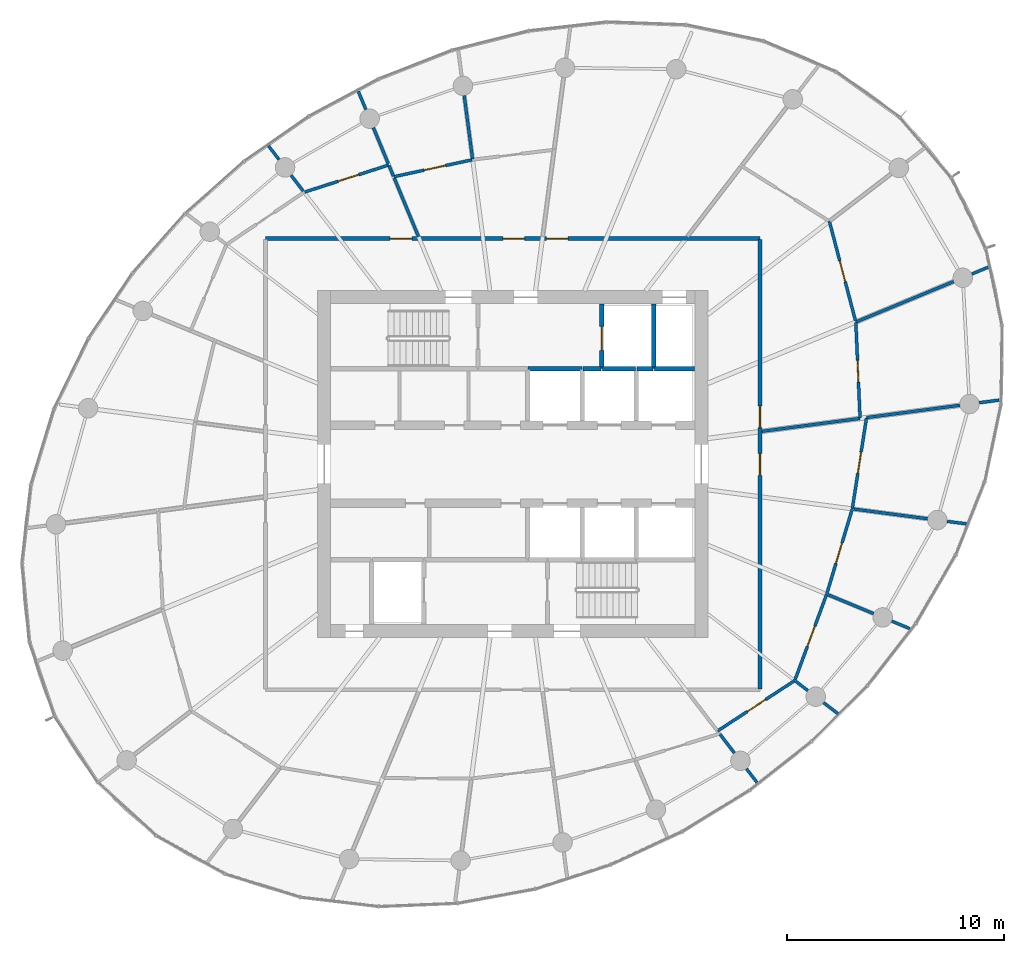
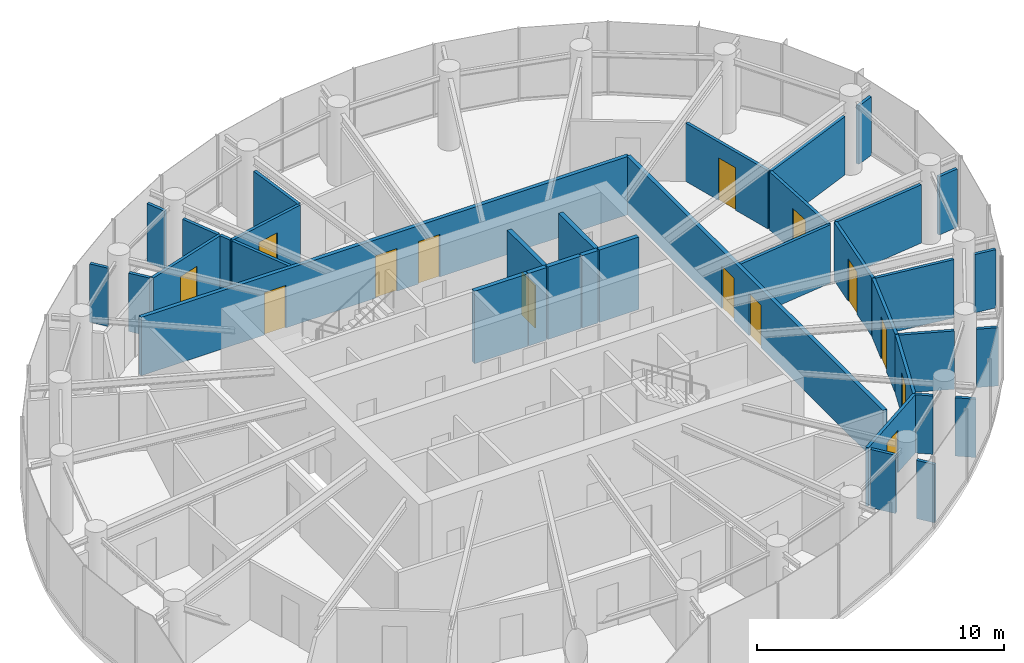
# One storey, part 12 of 15: 37 walls, 14 doors, 14 openings.
"""IFC4 building model written with IfcOpenShell, lengths in metres."""

from ifc_helpers import new_model, si_unit, direction, frame, frame_2d, origin, place, context, subcontext, project, spatial, rectangle, extrude, source, transform, mapped, material, layer, layer_set, type_object, element, fill, save


model = new_model("IFC4")

# Units and contexts
model_context = context("Model", 3, precision=1e-05, world=origin(), true_north=direction((0.0, 1.0)))
body_context = subcontext(model_context, "Body", "Model", "MODEL_VIEW")
ifc_project = project(units=[si_unit("LENGTHUNIT", "METRE"), si_unit("AREAUNIT", "SQUARE_METRE"), si_unit("VOLUMEUNIT", "CUBIC_METRE"), si_unit("PLANEANGLEUNIT", "RADIAN"), si_unit("MASSUNIT", "GRAM", prefix="KILO")], contexts=[model_context])

# Site, building, storey
site_placement = place(None, origin())
site = spatial("IfcSite", under=ifc_project, at=site_placement, CompositionType="ELEMENT")
building_placement = place(site_placement, origin())
building = spatial("IfcBuilding", under=site, at=building_placement, Name="Spindrift Exchange Tower", CompositionType="ELEMENT")
storey_placement = place(building_placement, frame((0.0, 0.0, 191.60009765625)))
storey = spatial("IfcBuildingStorey", under=building, at=storey_placement, Name="L46", CompositionType="ELEMENT", Elevation=191.60009765625)

# Wall, openings, doors
ifc_material_1 = material(Name="Fire-rated plasterboard partition", Category="gypsum")
ifc_layer_1 = layer(ifc_material_1, 0.179931640625)
ifc_layer_set_1 = layer_set([ifc_layer_1], Name="W-CORR-180")
wall_type_1 = type_object("IfcWallType", Name="W-CORR-180", PredefinedType="PARTITIONING", material=ifc_layer_set_1)
wall_1_placement = place(storey_placement, frame((40.60009765625, 58.39990234375, 0.0), z_axis=(0.0, 0.0, 1.0), x_axis=(1.0, 0.0, 0.0)))
wall_1 = element("IfcWall", 1, at=wall_1_placement, inside=storey, type_object=wall_type_1, Name="L46 Partition wall 27", PredefinedType="PARTITIONING", context=body_context, shape_type="SweptSolid", body=[
    extrude(rectangle(XDim=22.7998046875, YDim=0.179931640625, at=frame_2d((11.39990234375, 0.0))), origin(), (0.0, 0.0, 1.0), 2.8798828125),
])
opening_1_placement = place(wall_1_placement, frame((12.949951171875, 0.0, 0.0)))
opening_1 = element("IfcOpeningElement", 2, at=opening_1_placement, cuts=wall_1, Name="Opening L46-D42", PredefinedType="OPENING", context=body_context, shape_type="SweptSolid", body=[
    extrude(rectangle(XDim=1.0, YDim=2.10009765625, at=frame_2d((0.5, 1.050048828125))), frame((0.0, 0.099853515625, 0.0), z_axis=(0.0, -1.0, 0.0), x_axis=(1.0, 0.0, 0.0)), (0.0, 0.0, 1.0), 0.199951171875),
])
opening_2_placement = place(wall_1_placement, frame((10.949951171875, 0.0, 0.0)))
opening_2 = element("IfcOpeningElement", 3, at=opening_2_placement, cuts=wall_1, Name="Opening L46-D43", PredefinedType="OPENING", context=body_context, shape_type="SweptSolid", body=[
    extrude(rectangle(XDim=1.0, YDim=2.10009765625, at=frame_2d((0.5, 1.050048828125))), frame((0.0, 0.099853515625, 0.0), z_axis=(0.0, -1.0, 0.0), x_axis=(1.0, 0.0, 0.0)), (0.0, 0.0, 1.0), 0.199951171875),
])
opening_3_placement = place(wall_1_placement, frame((5.75, 0.0, 0.0)))
opening_3 = element("IfcOpeningElement", 4, at=opening_3_placement, cuts=wall_1, Name="Opening L46-D46", PredefinedType="OPENING", context=body_context, shape_type="SweptSolid", body=[
    extrude(rectangle(XDim=1.0, YDim=2.10009765625, at=frame_2d((0.5, 1.050048828125))), frame((0.0, 0.099853515625, 0.0), z_axis=(0.0, -1.0, 0.0), x_axis=(1.0, 0.0, 0.0)), (0.0, 0.0, 1.0), 0.199951171875),
])
ifc_material_2 = material(Name="Timber-core fire door", Category="wood")
door_type_1 = type_object("IfcDoorType", Name="DR-ROOM-1000", OperationType="NOTDEFINED", PredefinedType="DOOR", material=ifc_material_2)
shared_shape_1 = source(origin(), body_context, "Body", "SweptSolid", [
    extrude(rectangle(XDim=1.0, YDim=2.10009765625, at=frame_2d((0.5, 1.050048828125))), frame((0.0, 0.02490234375, 0.0), z_axis=(0.0, -1.0, 0.0), x_axis=(1.0, 0.0, 0.0)), (0.0, 0.0, 1.0), 0.050048828125),
])
door_1_placement = place(opening_1_placement, origin())
door_1 = element("IfcDoor", 5, at=door_1_placement, inside=storey, type_object=door_type_1, Name="L46 Door 42", OperationType="SINGLE_SWING_RIGHT", OverallHeight=2.10009765625, OverallWidth=1.0, PredefinedType="DOOR", context=body_context, shape_type="MappedRepresentation", body=[
    mapped(shared_shape_1, transform((0.0, 0.0, 0.0), scale=1.0)),
])
fill(opening_1, door_1)
door_2_placement = place(opening_2_placement, origin())
door_2 = element("IfcDoor", 6, at=door_2_placement, inside=storey, type_object=door_type_1, Name="L46 Door 43", OperationType="SINGLE_SWING_LEFT", OverallHeight=2.10009765625, OverallWidth=1.0, PredefinedType="DOOR", context=body_context, shape_type="MappedRepresentation", body=[
    mapped(shared_shape_1, transform((0.0, 0.0, 0.0), scale=1.0)),
])
fill(opening_2, door_2)
door_3_placement = place(opening_3_placement, origin())
door_3 = element("IfcDoor", 7, at=door_3_placement, inside=storey, type_object=door_type_1, Name="L46 Door 46", OperationType="SINGLE_SWING_RIGHT", OverallHeight=2.10009765625, OverallWidth=1.0, PredefinedType="DOOR", context=body_context, shape_type="MappedRepresentation", body=[
    mapped(shared_shape_1, transform((0.0, 0.0, 0.0), scale=1.0)),
])
fill(opening_3, door_3)

wall_2_placement = place(storey_placement, frame((63.39990234375, 58.3701171875, 0.0), z_axis=(0.0, 0.0, 1.0), x_axis=(0.0, -1.0, 0.0)))
wall_2 = element("IfcWall", 8, at=wall_2_placement, inside=storey, type_object=wall_type_1, Name="L46 Partition wall 29", PredefinedType="PARTITIONING", context=body_context, shape_type="SweptSolid", body=[
    extrude(rectangle(XDim=20.740234375, YDim=0.179931640625, at=frame_2d((10.3701171875, 0.0))), origin(), (0.0, 0.0, 1.0), 2.8798828125),
])
opening_4_placement = place(wall_2_placement, frame((9.889892578125, 0.0, 0.0)))
opening_4 = element("IfcOpeningElement", 9, at=opening_4_placement, cuts=wall_2, Name="Opening L46-D33", PredefinedType="OPENING", context=body_context, shape_type="SweptSolid", body=[
    extrude(rectangle(XDim=1.0, YDim=2.10009765625, at=frame_2d((0.5, 1.050048828125))), frame((0.0, 0.099853515625, 0.0), z_axis=(0.0, -1.0, 0.0), x_axis=(1.0, 0.0, 0.0)), (0.0, 0.0, 1.0), 0.199951171875),
])
opening_5_placement = place(wall_2_placement, frame((7.68994140625, 0.0, 0.0)))
opening_5 = element("IfcOpeningElement", 10, at=opening_5_placement, cuts=wall_2, Name="Opening L46-D38", PredefinedType="OPENING", context=body_context, shape_type="SweptSolid", body=[
    extrude(rectangle(XDim=1.0, YDim=2.10009765625, at=frame_2d((0.5, 1.050048828125))), frame((0.0, 0.099853515625, 0.0), z_axis=(0.0, -1.0, 0.0), x_axis=(1.0, 0.0, 0.0)), (0.0, 0.0, 1.0), 0.199951171875),
])
door_4_placement = place(opening_4_placement, origin())
door_4 = element("IfcDoor", 11, at=door_4_placement, inside=storey, type_object=door_type_1, Name="L46 Door 33", OperationType="SINGLE_SWING_LEFT", OverallHeight=2.10009765625, OverallWidth=1.0, PredefinedType="DOOR", context=body_context, shape_type="MappedRepresentation", body=[
    mapped(shared_shape_1, transform((0.0, 0.0, 0.0), scale=1.0)),
])
fill(opening_4, door_4)
door_5_placement = place(opening_5_placement, origin())
door_5 = element("IfcDoor", 12, at=door_5_placement, inside=storey, type_object=door_type_1, Name="L46 Door 38", OperationType="SINGLE_SWING_RIGHT", OverallHeight=2.10009765625, OverallWidth=1.0, PredefinedType="DOOR", context=body_context, shape_type="MappedRepresentation", body=[
    mapped(shared_shape_1, transform((0.0, 0.0, 0.0), scale=1.0)),
])
fill(opening_5, door_5)

# Wall
ifc_layer_2 = layer(ifc_material_1, 0.139892578125)
ifc_layer_set_2 = layer_set([ifc_layer_2], Name="W-PART-140")
wall_type_2 = type_object("IfcWallType", Name="W-PART-140", PredefinedType="PARTITIONING", material=ifc_layer_set_2)
wall_3_placement = place(storey_placement, frame((67.819580078125, 54.552490234375, 0.0), z_axis=(0.0, 0.0, 1.0), x_axis=(0.923864546683, 0.382719609353, 0.0)))
element("IfcWall", 13, at=wall_3_placement, inside=storey, type_object=wall_type_2, Name="L46 Partition wall 31", PredefinedType="PARTITIONING", context=body_context, shape_type="SweptSolid", body=[
    extrude(rectangle(XDim=4.885009765625, YDim=0.139892578125, at=frame_2d((2.4423828125, 0.0))), origin(), (0.0, 0.0, 1.0), 2.8798828125),
])

# Wall, opening, door
wall_4_placement = place(storey_placement, frame((66.5986328125, 59.201904296875, 0.0), z_axis=(0.0, 0.0, 1.0), x_axis=(0.253980714002, -0.967209282893, 0.0)))
wall_4 = element("IfcWall", 14, at=wall_4_placement, inside=storey, type_object=wall_type_2, Name="L46 Partition wall 34", PredefinedType="PARTITIONING", context=body_context, shape_type="SweptSolid", body=[
    extrude(rectangle(XDim=4.736083984375, YDim=0.139892578125, at=frame_2d((2.3681640625, 0.0))), origin(), (0.0, 0.0, 1.0), 2.8798828125),
])
opening_6_placement = place(wall_4_placement, frame((1.88623046875, 0.0, 0.0)))
opening_6 = element("IfcOpeningElement", 15, at=opening_6_placement, cuts=wall_4, Name="Opening L46-D40", PredefinedType="OPENING", context=body_context, shape_type="SweptSolid", body=[
    extrude(rectangle(XDim=1.0, YDim=2.10009765625, at=frame_2d((0.5, 1.050048828125))), frame((0.0, 0.079833984375, 0.0), z_axis=(0.0, -1.0, 0.0), x_axis=(1.0, 0.0, 0.0)), (0.0, 0.0, 1.0), 0.159912109375),
])
door_6_placement = place(opening_6_placement, origin())
door_6 = element("IfcDoor", 16, at=door_6_placement, inside=storey, type_object=door_type_1, Name="L46 Door 40", OperationType="SINGLE_SWING_RIGHT", OverallHeight=2.10009765625, OverallWidth=1.0, PredefinedType="DOOR", context=body_context, shape_type="MappedRepresentation", body=[
    mapped(shared_shape_1, transform((0.0, 0.0, 0.0), scale=1.0)),
])
fill(opening_6, door_6)

# Wall
wall_5_placement = place(storey_placement, frame((63.489990234375, 49.5126953125, 0.0), z_axis=(0.0, 0.0, 1.0), x_axis=(0.991445189432, 0.130523700346, 0.0)))
element("IfcWall", 17, at=wall_5_placement, inside=storey, type_object=wall_type_2, Name="L46 Partition wall 37", PredefinedType="PARTITIONING", context=body_context, shape_type="SweptSolid", body=[
    extrude(rectangle(XDim=4.56396484375, YDim=0.139892578125, at=frame_2d((2.281982421875, 0.0))), origin(), (0.0, 0.0, 1.0), 2.8798828125),
])

# Wall, opening, door
wall_6_placement = place(storey_placement, frame((67.82080078125, 54.522705078125, 0.0), z_axis=(0.0, 0.0, 1.0), x_axis=(0.043891066245, -0.999036322815, 0.0)))
wall_6 = element("IfcWall", 18, at=wall_6_placement, inside=storey, type_object=wall_type_2, Name="L46 Partition wall 40", PredefinedType="PARTITIONING", context=body_context, shape_type="SweptSolid", body=[
    extrude(rectangle(XDim=4.388671875, YDim=0.139892578125, at=frame_2d((2.1943359375, 0.0))), origin(), (0.0, 0.0, 1.0), 2.8798828125),
])
opening_7_placement = place(wall_6_placement, frame((1.738525390625, 0.0, 0.0)))
opening_7 = element("IfcOpeningElement", 19, at=opening_7_placement, cuts=wall_6, Name="Opening L46-D39", PredefinedType="OPENING", context=body_context, shape_type="SweptSolid", body=[
    extrude(rectangle(XDim=1.0, YDim=2.10009765625, at=frame_2d((0.5, 1.050048828125))), frame((0.0, 0.079833984375, 0.0), z_axis=(0.0, -1.0, 0.0), x_axis=(1.0, 0.0, 0.0)), (0.0, 0.0, 1.0), 0.159912109375),
])
door_7_placement = place(opening_7_placement, origin())
door_7 = element("IfcDoor", 20, at=door_7_placement, inside=storey, type_object=door_type_1, Name="L46 Door 39", OperationType="SINGLE_SWING_LEFT", OverallHeight=2.10009765625, OverallWidth=1.0, PredefinedType="DOOR", context=body_context, shape_type="MappedRepresentation", body=[
    mapped(shared_shape_1, transform((0.0, 0.0, 0.0), scale=1.0)),
])
fill(opening_7, door_7)

# Wall
wall_7_placement = place(storey_placement, frame((68.3134765625, 50.147705078125, 0.0), z_axis=(0.0, 0.0, 1.0), x_axis=(0.991443942206, 0.130533173806, 0.0)))
element("IfcWall", 21, at=wall_7_placement, inside=storey, type_object=wall_type_2, Name="L46 Partition wall 42", PredefinedType="PARTITIONING", context=body_context, shape_type="SweptSolid", body=[
    extrude(rectangle(XDim=4.33544921875, YDim=0.139892578125, at=frame_2d((2.167724609375, 0.0))), origin(), (0.0, 0.0, 1.0), 2.8798828125),
])

# Wall, opening, door
wall_8_placement = place(storey_placement, frame((68.308837890625, 50.1181640625, 0.0), z_axis=(0.0, 0.0, 1.0), x_axis=(-0.154216660459, -0.988037054789, 0.0)))
wall_8 = element("IfcWall", 22, at=wall_8_placement, inside=storey, type_object=wall_type_2, Name="L46 Partition wall 46", PredefinedType="PARTITIONING", context=body_context, shape_type="SweptSolid", body=[
    extrude(rectangle(XDim=4.22998046875, YDim=0.139892578125, at=frame_2d((2.114990234375, 0.0))), origin(), (0.0, 0.0, 1.0), 2.8798828125),
])
opening_8_placement = place(wall_8_placement, frame((1.579833984375, 0.0, 0.0)))
opening_8 = element("IfcOpeningElement", 23, at=opening_8_placement, cuts=wall_8, Name="Opening L46-D37", PredefinedType="OPENING", context=body_context, shape_type="SweptSolid", body=[
    extrude(rectangle(XDim=1.0, YDim=2.10009765625, at=frame_2d((0.5, 1.050048828125))), frame((0.0, 0.079833984375, 0.0), z_axis=(0.0, -1.0, 0.0), x_axis=(1.0, 0.0, 0.0)), (0.0, 0.0, 1.0), 0.159912109375),
])
door_8_placement = place(opening_8_placement, origin())
door_8 = element("IfcDoor", 24, at=door_8_placement, inside=storey, type_object=door_type_1, Name="L46 Door 37", OperationType="SINGLE_SWING_LEFT", OverallHeight=2.10009765625, OverallWidth=1.0, PredefinedType="DOOR", context=body_context, shape_type="MappedRepresentation", body=[
    mapped(shared_shape_1, transform((0.0, 0.0, 0.0), scale=1.0)),
])
fill(opening_8, door_8)

wall_9_placement = place(storey_placement, frame((65.003173828125, 38.022216796875, 0.0), z_axis=(0.0, 0.0, 1.0), x_axis=(-0.837161645349, -0.546955555376, 0.0)))
wall_9 = element("IfcWall", 25, at=wall_9_placement, inside=storey, type_object=wall_type_2, Name="L46 Partition wall 47", PredefinedType="PARTITIONING", context=body_context, shape_type="SweptSolid", body=[
    extrude(rectangle(XDim=4.25439453125, YDim=0.139892578125, at=frame_2d((2.127197265625, 0.0))), origin(), (0.0, 0.0, 1.0), 2.8798828125),
])
opening_9_placement = place(wall_9_placement, frame((1.604248046875, 0.0, 0.0)))
opening_9 = element("IfcOpeningElement", 26, at=opening_9_placement, cuts=wall_9, Name="Opening L46-D34", PredefinedType="OPENING", context=body_context, shape_type="SweptSolid", body=[
    extrude(rectangle(XDim=1.0, YDim=2.10009765625, at=frame_2d((0.5, 1.050048828125))), frame((0.0, 0.079833984375, 0.0), z_axis=(0.0, -1.0, 0.0), x_axis=(1.0, 0.0, 0.0)), (0.0, 0.0, 1.0), 0.159912109375),
])
door_9_placement = place(opening_9_placement, origin())
door_9 = element("IfcDoor", 27, at=door_9_placement, inside=storey, type_object=door_type_1, Name="L46 Door 34", OperationType="SINGLE_SWING_RIGHT", OverallHeight=2.10009765625, OverallWidth=1.0, PredefinedType="DOOR", context=body_context, shape_type="MappedRepresentation", body=[
    mapped(shared_shape_1, transform((0.0, 0.0, 0.0), scale=1.0)),
])
fill(opening_9, door_9)

wall_10_placement = place(storey_placement, frame((66.475830078125, 42.00390625, 0.0), z_axis=(0.0, 0.0, 1.0), x_axis=(-0.346867255576, -0.937914232225, 0.0)))
wall_10 = element("IfcWall", 28, at=wall_10_placement, inside=storey, type_object=wall_type_2, Name="L46 Partition wall 48", PredefinedType="PARTITIONING", context=body_context, shape_type="SweptSolid", body=[
    extrude(rectangle(XDim=4.21533203125, YDim=0.139892578125, at=frame_2d((2.107666015625, 0.0))), origin(), (0.0, 0.0, 1.0), 2.8798828125),
])
opening_10_placement = place(wall_10_placement, frame((1.565185546875, 0.0, 0.0)))
opening_10 = element("IfcOpeningElement", 29, at=opening_10_placement, cuts=wall_10, Name="Opening L46-D35", PredefinedType="OPENING", context=body_context, shape_type="SweptSolid", body=[
    extrude(rectangle(XDim=1.0, YDim=2.10009765625, at=frame_2d((0.5, 1.050048828125))), frame((0.0, 0.079833984375, 0.0), z_axis=(0.0, -1.0, 0.0), x_axis=(1.0, 0.0, 0.0)), (0.0, 0.0, 1.0), 0.159912109375),
])
door_10_placement = place(opening_10_placement, origin())
door_10 = element("IfcDoor", 30, at=door_10_placement, inside=storey, type_object=door_type_1, Name="L46 Door 35", OperationType="SINGLE_SWING_LEFT", OverallHeight=2.10009765625, OverallWidth=1.0, PredefinedType="DOOR", context=body_context, shape_type="MappedRepresentation", body=[
    mapped(shared_shape_1, transform((0.0, 0.0, 0.0), scale=1.0)),
])
fill(opening_10, door_10)

wall_11_placement = place(storey_placement, frame((67.64794921875, 45.91015625, 0.0), z_axis=(0.0, 0.0, 1.0), x_axis=(-0.28737001705, -0.957819645497, 0.0)))
wall_11 = element("IfcWall", 31, at=wall_11_placement, inside=storey, type_object=wall_type_2, Name="L46 Partition wall 51", PredefinedType="PARTITIONING", context=body_context, shape_type="SweptSolid", body=[
    extrude(rectangle(XDim=4.048095703125, YDim=0.139892578125, at=frame_2d((2.02392578125, 0.0))), origin(), (0.0, 0.0, 1.0), 2.8798828125),
])
opening_11_placement = place(wall_11_placement, frame((1.598388671875, 0.0, 0.0)))
opening_11 = element("IfcOpeningElement", 32, at=opening_11_placement, cuts=wall_11, Name="Opening L46-D36", PredefinedType="OPENING", context=body_context, shape_type="SweptSolid", body=[
    extrude(rectangle(XDim=1.0, YDim=2.10009765625, at=frame_2d((0.5, 1.050048828125))), frame((0.0, 0.079833984375, 0.0), z_axis=(0.0, -1.0, 0.0), x_axis=(1.0, 0.0, 0.0)), (0.0, 0.0, 1.0), 0.159912109375),
])
door_11_placement = place(opening_11_placement, origin())
door_11 = element("IfcDoor", 33, at=door_11_placement, inside=storey, type_object=door_type_1, Name="L46 Door 36", OperationType="SINGLE_SWING_RIGHT", OverallHeight=2.10009765625, OverallWidth=1.0, PredefinedType="DOOR", context=body_context, shape_type="MappedRepresentation", body=[
    mapped(shared_shape_1, transform((0.0, 0.0, 0.0), scale=1.0)),
])
fill(opening_11, door_11)

wall_12_placement = place(storey_placement, frame((42.408447265625, 60.546142578125, 0.0), z_axis=(0.0, 0.0, 1.0), x_axis=(0.951875671907, 0.30648442902, 0.0)))
wall_12 = element("IfcWall", 34, at=wall_12_placement, inside=storey, type_object=wall_type_2, Name="L46 Partition wall 52", PredefinedType="PARTITIONING", context=body_context, shape_type="SweptSolid", body=[
    extrude(rectangle(XDim=4.07373046875, YDim=0.139892578125, at=frame_2d((2.036865234375, 0.0))), origin(), (0.0, 0.0, 1.0), 2.8798828125),
])
opening_12_placement = place(wall_12_placement, frame((1.62353515625, 0.0, 0.0)))
opening_12 = element("IfcOpeningElement", 35, at=opening_12_placement, cuts=wall_12, Name="Opening L46-D47", PredefinedType="OPENING", context=body_context, shape_type="SweptSolid", body=[
    extrude(rectangle(XDim=1.0, YDim=2.10009765625, at=frame_2d((0.5, 1.050048828125))), frame((0.0, 0.079833984375, 0.0), z_axis=(0.0, -1.0, 0.0), x_axis=(1.0, 0.0, 0.0)), (0.0, 0.0, 1.0), 0.159912109375),
])
door_12_placement = place(opening_12_placement, origin())
door_12 = element("IfcDoor", 36, at=door_12_placement, inside=storey, type_object=door_type_1, Name="L46 Door 47", OperationType="SINGLE_SWING_LEFT", OverallHeight=2.10009765625, OverallWidth=1.0, PredefinedType="DOOR", context=body_context, shape_type="MappedRepresentation", body=[
    mapped(shared_shape_1, transform((0.0, 0.0, 0.0), scale=1.0)),
])
fill(opening_12, door_12)

wall_13_placement = place(storey_placement, frame((46.510986328125, 61.25146484375, 0.0), z_axis=(0.0, 0.0, 1.0), x_axis=(0.977404204457, 0.211378856818, 0.0)))
wall_13 = element("IfcWall", 37, at=wall_13_placement, inside=storey, type_object=wall_type_2, Name="L46 Partition wall 61", PredefinedType="PARTITIONING", context=body_context, shape_type="SweptSolid", body=[
    extrude(rectangle(XDim=3.69482421875, YDim=0.139892578125, at=frame_2d((1.847412109375, 0.0))), origin(), (0.0, 0.0, 1.0), 2.8798828125),
])
opening_13_placement = place(wall_13_placement, frame((1.44482421875, 0.0, 0.0)))
opening_13 = element("IfcOpeningElement", 38, at=opening_13_placement, cuts=wall_13, Name="Opening L46-D45", PredefinedType="OPENING", context=body_context, shape_type="SweptSolid", body=[
    extrude(rectangle(XDim=1.0, YDim=2.10009765625, at=frame_2d((0.5, 1.050048828125))), frame((0.0, 0.079833984375, 0.0), z_axis=(0.0, -1.0, 0.0), x_axis=(1.0, 0.0, 0.0)), (0.0, 0.0, 1.0), 0.159912109375),
])
door_13_placement = place(opening_13_placement, origin())
door_13 = element("IfcDoor", 39, at=door_13_placement, inside=storey, type_object=door_type_1, Name="L46 Door 45", OperationType="SINGLE_SWING_LEFT", OverallHeight=2.10009765625, OverallWidth=1.0, PredefinedType="DOOR", context=body_context, shape_type="MappedRepresentation", body=[
    mapped(shared_shape_1, transform((0.0, 0.0, 0.0), scale=1.0)),
])
fill(opening_13, door_13)

# Walls
wall_14_placement = place(storey_placement, frame((67.725830078125, 45.9296875, 0.0), z_axis=(0.0, 0.0, 1.0), x_axis=(0.991443886809, -0.130533594563, 0.0)))
element("IfcWall", 40, at=wall_14_placement, inside=storey, type_object=wall_type_2, Name="L46 Partition wall 64", PredefinedType="PARTITIONING", context=body_context, shape_type="SweptSolid", body=[
    extrude(rectangle(XDim=3.433837890625, YDim=0.139892578125, at=frame_2d((1.716796875, 0.0))), origin(), (0.0, 0.0, 1.0), 2.8798828125),
])
wall_15_placement = place(storey_placement, frame((47.65478515625, 58.489990234375, 0.0), z_axis=(0.0, 0.0, 1.0), x_axis=(-0.382630142658, 0.92390160403, 0.0)))
element("IfcWall", 41, at=wall_15_placement, inside=storey, type_object=wall_type_2, Name="L46 Partition wall 71", PredefinedType="PARTITIONING", context=body_context, shape_type="SweptSolid", body=[
    extrude(rectangle(XDim=2.917724609375, YDim=0.139892578125, at=frame_2d((1.458984375, 0.0))), origin(), (0.0, 0.0, 1.0), 2.8798828125),
])
wall_16_placement = place(storey_placement, frame((50.147705078125, 62.068603515625, 0.0), z_axis=(0.0, 0.0, 1.0), x_axis=(-0.130493066125, 0.991449221944, 0.0)))
element("IfcWall", 42, at=wall_16_placement, inside=storey, type_object=wall_type_2, Name="L46 Partition wall 72", PredefinedType="PARTITIONING", context=body_context, shape_type="SweptSolid", body=[
    extrude(rectangle(XDim=2.948486328125, YDim=0.139892578125, at=frame_2d((1.47412109375, 0.0))), origin(), (0.0, 0.0, 1.0), 2.8798828125),
])
wall_17_placement = place(storey_placement, frame((66.54052734375, 41.97705078125, 0.0), z_axis=(0.0, 0.0, 1.0), x_axis=(0.923885824628, -0.382668241498, 0.0)))
element("IfcWall", 43, at=wall_17_placement, inside=storey, type_object=wall_type_2, Name="L46 Partition wall 79", PredefinedType="PARTITIONING", context=body_context, shape_type="SweptSolid", body=[
    extrude(rectangle(XDim=2.271240234375, YDim=0.139892578125, at=frame_2d((1.1357421875, 0.0))), origin(), (0.0, 0.0, 1.0), 2.8798828125),
])
wall_18_placement = place(storey_placement, frame((46.25927734375, 61.859619140625, 0.0), z_axis=(0.0, 0.0, 1.0), x_axis=(-0.382713681356, 0.923867002389, 0.0)))
element("IfcWall", 44, at=wall_18_placement, inside=storey, type_object=wall_type_2, Name="L46 Partition wall 82", PredefinedType="PARTITIONING", context=body_context, shape_type="SweptSolid", body=[
    extrude(rectangle(XDim=1.787353515625, YDim=0.139892578125, at=frame_2d((0.8935546875, 0.0))), origin(), (0.0, 0.0, 1.0), 2.8798828125),
])
wall_19_placement = place(storey_placement, frame((61.55615234375, 35.546142578125, 0.0), z_axis=(0.0, 0.0, 1.0), x_axis=(0.608740457709, -0.793369431695, 0.0)))
element("IfcWall", 45, at=wall_19_placement, inside=storey, type_object=wall_type_2, Name="L46 Partition wall 92", PredefinedType="PARTITIONING", context=body_context, shape_type="SweptSolid", body=[
    extrude(rectangle(XDim=1.094970703125, YDim=0.139892578125, at=frame_2d((0.54736328125, 0.0))), origin(), (0.0, 0.0, 1.0), 2.8798828125),
])
wall_20_placement = place(storey_placement, frame((42.33740234375, 60.5927734375, 0.0), z_axis=(0.0, 0.0, 1.0), x_axis=(-0.60883820701, 0.793294420555, 0.0)))
element("IfcWall", 46, at=wall_20_placement, inside=storey, type_object=wall_type_2, Name="L46 Partition wall 95", PredefinedType="PARTITIONING", context=body_context, shape_type="SweptSolid", body=[
    extrude(rectangle(XDim=0.919921875, YDim=0.139892578125, at=frame_2d((0.4599609375, 0.0))), origin(), (0.0, 0.0, 1.0), 2.8798828125),
])
wall_21_placement = place(storey_placement, frame((72.031494140625, 45.36279296875, 0.0), z_axis=(0.0, 0.0, 1.0), x_axis=(0.991456085685, -0.130440906764, 0.0)))
element("IfcWall", 47, at=wall_21_placement, inside=storey, type_object=wall_type_2, Name="L46 Partition wall 96", PredefinedType="PARTITIONING", context=body_context, shape_type="SweptSolid", body=[
    extrude(rectangle(XDim=0.92822265625, YDim=0.139892578125, at=frame_2d((0.464111328125, 0.0))), origin(), (0.0, 0.0, 1.0), 2.8798828125),
])
wall_22_placement = place(storey_placement, frame((73.512939453125, 50.832275390625, 0.0), z_axis=(0.0, 0.0, 1.0), x_axis=(0.991462412187, 0.130392811226, 0.0)))
element("IfcWall", 48, at=wall_22_placement, inside=storey, type_object=wall_type_2, Name="L46 Partition wall 97", PredefinedType="PARTITIONING", context=body_context, shape_type="SweptSolid", body=[
    extrude(rectangle(XDim=0.921142578125, YDim=0.139892578125, at=frame_2d((0.46044921875, 0.0))), origin(), (0.0, 0.0, 1.0), 2.8798828125),
])
wall_23_placement = place(storey_placement, frame((45.226806640625, 64.351806640625, 0.0), z_axis=(0.0, 0.0, 1.0), x_axis=(-0.382645109605, 0.923895405387, 0.0)))
element("IfcWall", 49, at=wall_23_placement, inside=storey, type_object=wall_type_2, Name="L46 Partition wall 100", PredefinedType="PARTITIONING", context=body_context, shape_type="SweptSolid", body=[
    extrude(rectangle(XDim=0.90673828125, YDim=0.139892578125, at=frame_2d((0.453369140625, 0.0))), origin(), (0.0, 0.0, 1.0), 2.8798828125),
])
wall_24_placement = place(storey_placement, frame((69.479736328125, 40.759521484375, 0.0), z_axis=(0.0, 0.0, 1.0), x_axis=(0.923869811138, -0.382706900994, 0.0)))
element("IfcWall", 50, at=wall_24_placement, inside=storey, type_object=wall_type_2, Name="L46 Partition wall 101", PredefinedType="PARTITIONING", context=body_context, shape_type="SweptSolid", body=[
    extrude(rectangle(XDim=0.890625, YDim=0.139892578125, at=frame_2d((0.4453125, 0.0))), origin(), (0.0, 0.0, 1.0), 2.8798828125),
])
wall_25_placement = place(storey_placement, frame((73.173583984375, 56.770263671875, 0.0), z_axis=(0.0, 0.0, 1.0), x_axis=(0.923855963606, 0.38274032778, 0.0)))
element("IfcWall", 51, at=wall_25_placement, inside=storey, type_object=wall_type_2, Name="L46 Partition wall 103", PredefinedType="PARTITIONING", context=body_context, shape_type="SweptSolid", body=[
    extrude(rectangle(XDim=0.850830078125, YDim=0.139892578125, at=frame_2d((0.42529296875, 0.0))), origin(), (0.0, 0.0, 1.0), 2.8798828125),
])
wall_26_placement = place(storey_placement, frame((66.33154296875, 37.0029296875, 0.0), z_axis=(0.0, 0.0, 1.0), x_axis=(0.793390985662, -0.608712365466, 0.0)))
element("IfcWall", 52, at=wall_26_placement, inside=storey, type_object=wall_type_2, Name="L46 Partition wall 106", PredefinedType="PARTITIONING", context=body_context, shape_type="SweptSolid", body=[
    extrude(rectangle(XDim=0.83935546875, YDim=0.139892578125, at=frame_2d((0.419677734375, 0.0))), origin(), (0.0, 0.0, 1.0), 2.8798828125),
])
for number, where, z_axis, x_axis, name in (
    (53, (41.22412109375, 62.043701171875, 0.0), (0.0, 0.0, 1.0), (-0.608908709281, 0.79324030644, 0.0), "L46 Partition wall 107"),
    (54, (62.77587890625, 33.956298828125, 0.0), (0.0, 0.0, 1.0), (0.608908709281, -0.79324030644, 0.0), "L46 Partition wall 108"),
):
    element("IfcWall", number, at=place(storey_placement, frame(where, z_axis=z_axis, x_axis=x_axis)), inside=storey, type_object=wall_type_2, Name=name, PredefinedType="PARTITIONING", context=body_context, shape_type="SweptSolid", body=[
        extrude(rectangle(XDim=0.794677734375, YDim=0.139892578125, at=frame_2d((0.3974609375, 0.0))), origin(), (0.0, 0.0, 1.0), 2.8798828125),
    ])
wall_27_placement = place(storey_placement, frame((65.02685546875, 38.004150390625, 0.0), z_axis=(0.0, 0.0, 1.0), x_axis=(0.793339152382, -0.608779918606, 0.0)))
element("IfcWall", 55, at=wall_27_placement, inside=storey, type_object=wall_type_2, Name="L46 Partition wall 109", PredefinedType="PARTITIONING", context=body_context, shape_type="SweptSolid", body=[
    extrude(rectangle(XDim=0.735595703125, YDim=0.139892578125, at=frame_2d((0.36767578125, 0.0))), origin(), (0.0, 0.0, 1.0), 2.8798828125),
])
wall_28_placement = place(storey_placement, frame((46.49951171875, 61.279296875, 0.0), z_axis=(0.0, 0.0, 1.0), x_axis=(-0.382447097883, 0.923977390049, 0.0)))
element("IfcWall", 56, at=wall_28_placement, inside=storey, type_object=wall_type_2, Name="L46 Partition wall 110", PredefinedType="PARTITIONING", context=body_context, shape_type="SweptSolid", body=[
    extrude(rectangle(XDim=0.52783203125, YDim=0.139892578125, at=frame_2d((0.263916015625, 0.0))), origin(), (0.0, 0.0, 1.0), 2.8798828125),
])

# Wall, opening, door
ifc_material_3 = material(Name="Concrete 40 MPa", Category="concrete")
ifc_layer_3 = layer(ifc_material_3, 0.199951171875)
ifc_layer_set_3 = layer_set([ifc_layer_3], Name="W-SHAFT-200")
wall_type_3 = type_object("IfcWallType", Name="W-SHAFT-200", PredefinedType="SOLIDWALL", material=ifc_layer_set_3)
wall_29_placement = place(storey_placement, frame((56.10009765625, 55.3798828125, 0.0), z_axis=(0.0, 0.0, 1.0), x_axis=(0.0, -1.0, 0.0)))
wall_29 = element("IfcWall", 57, at=wall_29_placement, inside=storey, type_object=wall_type_3, Name="L46 Shaft wall 7", PredefinedType="SOLIDWALL", context=body_context, shape_type="SweptSolid", body=[
    extrude(rectangle(XDim=2.97998046875, YDim=0.199951171875, at=frame_2d((1.489990234375, 0.0))), origin(), (0.0, 0.0, 1.0), 3.579833984375),
])
opening_14_placement = place(wall_29_placement, frame((1.030029296875, 0.0, 0.0)))
opening_14 = element("IfcOpeningElement", 58, at=opening_14_placement, cuts=wall_29, Name="Opening L46-D9", PredefinedType="OPENING", context=body_context, shape_type="SweptSolid", body=[
    extrude(rectangle(XDim=1.10009765625, YDim=2.10009765625, at=frame_2d((0.550048828125, 1.050048828125))), frame((0.0, 0.10986328125, 0.0), z_axis=(0.0, -1.0, 0.0), x_axis=(1.0, 0.0, 0.0)), (0.0, 0.0, 1.0), 0.219970703125),
])
ifc_material_4 = material(Name="Stainless steel landing door", Category="steel")
door_type_2 = type_object("IfcDoorType", Name="DR-LANDING-1100-SL", OperationType="DOUBLE_DOOR_SLIDING", PredefinedType="USERDEFINED", material=ifc_material_4)
shared_shape_2 = source(origin(), body_context, "Body", "SweptSolid", [
    extrude(rectangle(XDim=1.10009765625, YDim=2.10009765625, at=frame_2d((0.550048828125, 1.050048828125))), frame((0.0, 0.02490234375, 0.0), z_axis=(0.0, -1.0, 0.0), x_axis=(1.0, 0.0, 0.0)), (0.0, 0.0, 1.0), 0.050048828125),
])
door_14_placement = place(opening_14_placement, origin())
door_14 = element("IfcDoor", 59, at=door_14_placement, inside=storey, type_object=door_type_2, Name="L46 Lift landing door 9", ObjectType="LANDING DOOR", OperationType="DOUBLE_DOOR_SLIDING", OverallHeight=2.10009765625, OverallWidth=1.10009765625, PredefinedType="USERDEFINED", context=body_context, shape_type="MappedRepresentation", body=[
    mapped(shared_shape_2, transform((0.0, 0.0, 0.0), scale=1.0)),
])
fill(opening_14, door_14)

# Walls
wall_30_placement = place(storey_placement, frame((58.5, 52.39990234375, 0.0), z_axis=(0.0, 0.0, 1.0), x_axis=(0.0, 1.0, 0.0)))
element("IfcWall", 60, at=wall_30_placement, inside=storey, type_object=wall_type_3, Name="L46 Shaft wall 8", PredefinedType="SOLIDWALL", context=body_context, shape_type="SweptSolid", body=[
    extrude(rectangle(XDim=2.97998046875, YDim=0.199951171875, at=frame_2d((1.489990234375, 0.0))), origin(), (0.0, 0.0, 1.0), 3.579833984375),
])
wall_31_placement = place(storey_placement, frame((55.199951171875, 52.39990234375, 0.0), z_axis=(0.0, 0.0, 1.0), x_axis=(-1.0, 0.0, 0.0)))
element("IfcWall", 61, at=wall_31_placement, inside=storey, type_object=wall_type_3, Name="L46 Shaft wall 10", PredefinedType="SOLIDWALL", context=body_context, shape_type="SweptSolid", body=[
    extrude(rectangle(XDim=2.5, YDim=0.199951171875, at=frame_2d((1.25, 0.0))), origin(), (0.0, 0.0, 1.0), 3.579833984375),
])
wall_32_placement = place(storey_placement, frame((60.3798828125, 52.39990234375, 0.0), z_axis=(0.0, 0.0, 1.0), x_axis=(-1.0, 0.0, 0.0)))
element("IfcWall", 62, at=wall_32_placement, inside=storey, type_object=wall_type_3, Name="L46 Shaft wall 21", PredefinedType="SOLIDWALL", context=body_context, shape_type="SweptSolid", body=[
    extrude(rectangle(XDim=1.849853515625, YDim=0.199951171875, at=frame_2d((0.9248046875, 0.0))), origin(), (0.0, 0.0, 1.0), 3.579833984375),
])
wall_33_placement = place(storey_placement, frame((57.669921875, 52.39990234375, 0.0), z_axis=(0.0, 0.0, 1.0), x_axis=(-1.0, 0.0, 0.0)))
element("IfcWall", 63, at=wall_33_placement, inside=storey, type_object=wall_type_3, Name="L46 Shaft wall 23", PredefinedType="SOLIDWALL", context=body_context, shape_type="SweptSolid", body=[
    extrude(rectangle(XDim=1.5400390625, YDim=0.199951171875, at=frame_2d((0.77001953125, 0.0))), origin(), (0.0, 0.0, 1.0), 3.579833984375),
])
wall_34_placement = place(storey_placement, frame((56.070068359375, 52.39990234375, 0.0), z_axis=(0.0, 0.0, 1.0), x_axis=(-1.0, 0.0, 0.0)))
element("IfcWall", 64, at=wall_34_placement, inside=storey, type_object=wall_type_3, Name="L46 Shaft wall 25", PredefinedType="SOLIDWALL", context=body_context, shape_type="SweptSolid", body=[
    extrude(rectangle(XDim=0.840087890625, YDim=0.199951171875, at=frame_2d((0.419921875, 0.0))), origin(), (0.0, 0.0, 1.0), 3.579833984375),
])
wall_35_placement = place(storey_placement, frame((58.469970703125, 52.39990234375, 0.0), z_axis=(0.0, 0.0, 1.0), x_axis=(-1.0, 0.0, 0.0)))
element("IfcWall", 65, at=wall_35_placement, inside=storey, type_object=wall_type_3, Name="L46 Shaft wall 26", PredefinedType="SOLIDWALL", context=body_context, shape_type="SweptSolid", body=[
    extrude(rectangle(XDim=0.739990234375, YDim=0.199951171875, at=frame_2d((0.3701171875, 0.0))), origin(), (0.0, 0.0, 1.0), 3.579833984375),
])

save(model, "model.ifc")
